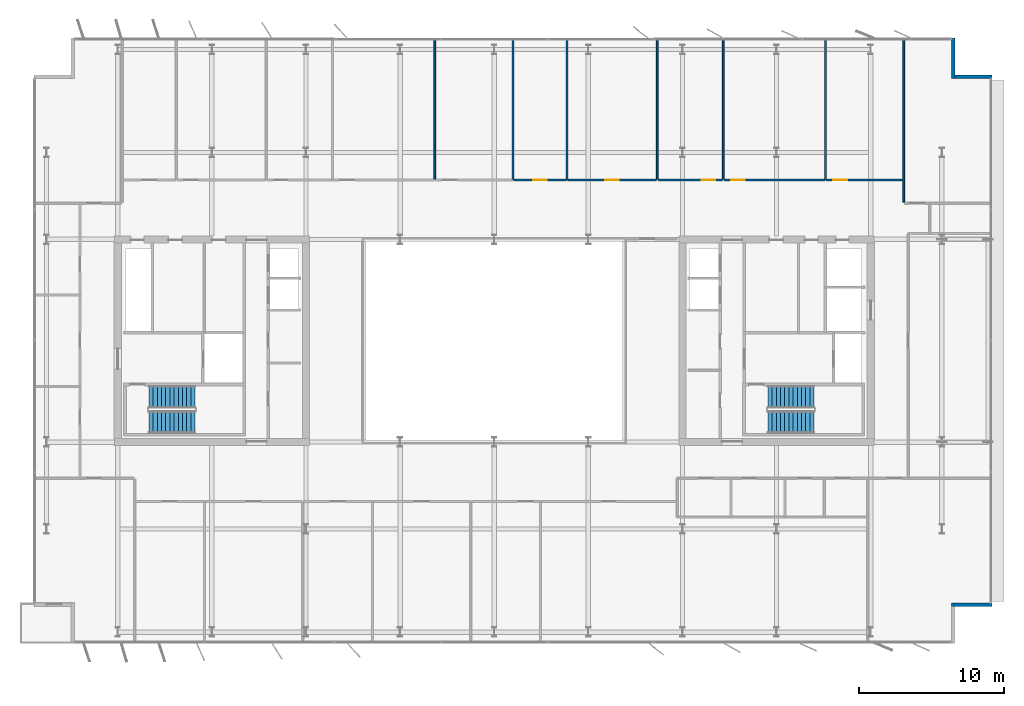
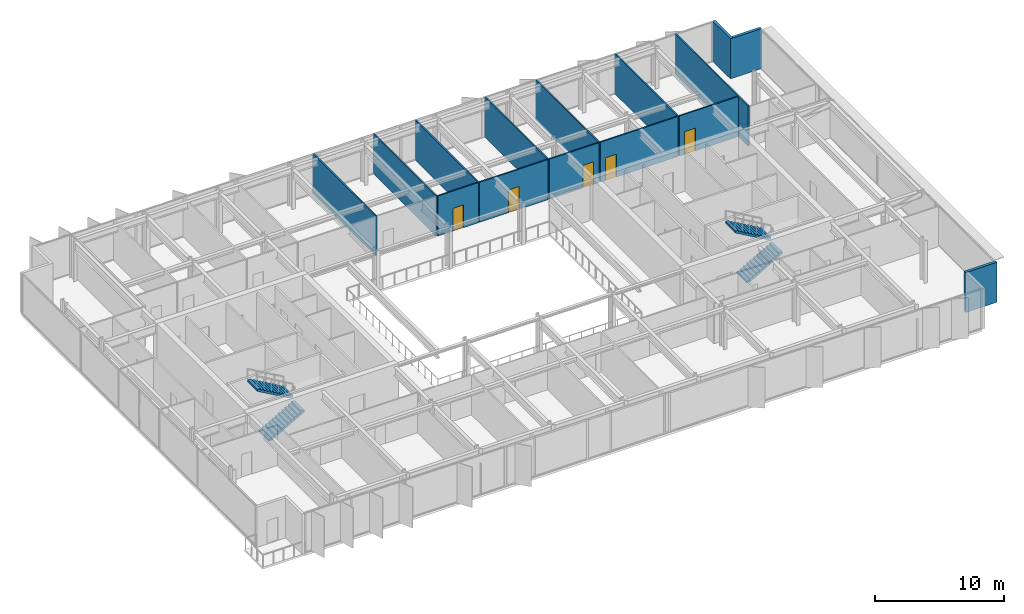
# One storey, part 16 of 20: 15 walls, 5 doors, 4 stair flights, 5 openings, 2 elements without a shape of their own.
"""IFC4 building model written with IfcOpenShell, lengths in metres."""

from ifc_helpers import new_model, si_unit, direction, frame, frame_2d, origin, place, context, subcontext, project, spatial, polyline, rectangle, outline, extrude, material, layer, layer_set, type_object, element, fill, aggregate, save


model = new_model("IFC4")

# Units and contexts
model_context = context("Model", 3, precision=1e-05, world=origin(), true_north=direction((0.0, 1.0)))
body_context = subcontext(model_context, "Body", "Model", "MODEL_VIEW")
ifc_project = project(units=[si_unit("LENGTHUNIT", "METRE"), si_unit("AREAUNIT", "SQUARE_METRE"), si_unit("VOLUMEUNIT", "CUBIC_METRE"), si_unit("PLANEANGLEUNIT", "RADIAN"), si_unit("MASSUNIT", "GRAM", prefix="KILO")], contexts=[model_context])

# Site, building, storey
site_placement = place(None, origin())
site = spatial("IfcSite", under=ifc_project, at=site_placement, CompositionType="ELEMENT")
building_placement = place(site_placement, origin())
building = spatial("IfcBuilding", under=site, at=building_placement, Name="Putna Gate Headquarters", CompositionType="ELEMENT")
storey_placement = place(building_placement, frame((0.0, 0.0, 290.39990234375)))
storey = spatial("IfcBuildingStorey", under=building, at=storey_placement, Name="L73", CompositionType="ELEMENT", Elevation=290.39990234375)

# Walls
ifc_material_1 = material(Name="Precast concrete C40/50", Category="concrete")
ifc_layer_1 = layer(ifc_material_1, 0.239990234375)
ifc_layer_set_1 = layer_set([ifc_layer_1], Name="Precast concrete C40/50")
wall_type_1 = type_object("IfcWallType", Name="WALL-EXT-TERR-240", PredefinedType="STANDARD", material=ifc_layer_set_1)
for number, where, z_axis, x_axis, name in (
    (1, (70.707275390625, 46.89990234375, 0.0), (0.0, 0.0, 1.0), (0.0, -1.0, 0.0), "L73 Corner Notch Return Wall NE-V"),
    (2, (70.58740234375, 44.219970703125, 0.0), (0.0, 0.0, 1.0), (1.0, 0.0, 0.0), "L73 Corner Notch Return Wall NE-H"),
    (3, (73.38720703125, 7.780029296875, 0.0), (0.0, 0.0, 1.0), (-1.0, 0.0, 0.0), "L73 Corner Notch Return Wall SE-H"),
):
    element("IfcWall", number, at=place(storey_placement, frame(where, z_axis=z_axis, x_axis=x_axis)), inside=storey, type_object=wall_type_1, Name=name, PredefinedType="STANDARD", context=body_context, shape_type="SweptSolid", body=[
        extrude(rectangle(XDim=2.7998046875, YDim=0.239990234375, at=frame_2d((1.39990234375, 0.0))), origin(), (0.0, 0.0, 1.0), 3.7880859375),
    ])
ifc_material_2 = material(Name="Acoustic gypsum board on metal stud")
ifc_layer_2 = layer(ifc_material_2, 0.1201171875)
ifc_layer_set_2 = layer_set([ifc_layer_2], Name="Acoustic gypsum board on metal stud")
wall_type_2 = type_object("IfcWallType", Name="WALL-PART-120", PredefinedType="PARTITIONING", material=ifc_layer_set_2)
for number, where, z_axis, x_axis, name in (
    (4, (34.895751953125, 37.159912109375, 0.0), (0.0, 0.0, 1.0), (0.0, 1.0, 0.0), "L73 Interior Wall PART-L73-NB-DIV-05"),
    (5, (40.293701171875, 37.159912109375, 0.0), (0.0, 0.0, 1.0), (0.0, 1.0, 0.0), "L73 Interior Wall PART-L73-NB-DIV-06"),
    (6, (44.026123046875, 37.159912109375, 0.0), (0.0, 0.0, 1.0), (0.0, 1.0, 0.0), "L73 Interior Wall PART-L73-NB-DIV-07"),
    (7, (50.25341796875, 37.159912109375, 0.0), (0.0, 0.0, 1.0), (0.0, 1.0, 0.0), "L73 Interior Wall PART-L73-NB-DIV-08"),
    (8, (54.82177734375, 37.159912109375, 0.0), (0.0, 0.0, 1.0), (0.0, 1.0, 0.0), "L73 Interior Wall PART-L73-NB-DIV-09"),
    (9, (61.885009765625, 37.159912109375, 0.0), (0.0, 0.0, 1.0), (0.0, 1.0, 0.0), "L73 Interior Wall PART-L73-NB-DIV-10"),
):
    element("IfcWall", number, at=place(storey_placement, frame(where, z_axis=z_axis, x_axis=x_axis)), inside=storey, type_object=wall_type_2, Name=name, PredefinedType="PARTITIONING", context=body_context, shape_type="SweptSolid", body=[
        extrude(rectangle(XDim=9.719970703125, YDim=0.1201171875, at=frame_2d((4.85986328125, 0.0))), origin(), (0.0, 0.0, 1.0), 3.7880859375),
    ])
wall_1_placement = place(storey_placement, frame((67.28271484375, 35.56005859375, 0.0), z_axis=(0.0, 0.0, 1.0), x_axis=(0.0, 1.0, 0.0)))
element("IfcWall", 10, at=wall_1_placement, inside=storey, type_object=wall_type_2, Name="L73 Interior Wall PART-L73-NB-DIV-11", PredefinedType="PARTITIONING", context=body_context, shape_type="SweptSolid", body=[
    extrude(rectangle(XDim=11.31982421875, YDim=0.1201171875, at=frame_2d((5.659912109375, 0.0))), origin(), (0.0, 0.0, 1.0), 3.7880859375),
])

# Wall, opening, door
ifc_material_3 = material(Name="Fire-rated gypsum board on metal stud")
ifc_layer_3 = layer(ifc_material_3, 0.1201171875)
ifc_layer_set_3 = layer_set([ifc_layer_3], Name="Fire-rated gypsum board on metal stud")
wall_type_3 = type_object("IfcWallType", Name="WALL-PART-120-RATED", PredefinedType="PARTITIONING", material=ifc_layer_set_3)
wall_2_placement = place(storey_placement, frame((40.353759765625, 37.10009765625, 0.0), z_axis=(0.0, 0.0, 1.0), x_axis=(1.0, 0.0, 0.0)))
wall_2 = element("IfcWall", 11, at=wall_2_placement, inside=storey, type_object=wall_type_3, Name="L73 Interior Wall PART-L73-NB-CW-07", PredefinedType="PARTITIONING", context=body_context, shape_type="SweptSolid", body=[
    extrude(rectangle(XDim=3.6123046875, YDim=0.1201171875, at=frame_2d((1.80615234375, 0.0))), origin(), (0.0, 0.0, 1.0), 3.7880859375),
])
opening_1_placement = place(wall_2_placement, frame((1.331298828125, 0.0, 0.0)))
opening_1 = element("IfcOpeningElement", 12, at=opening_1_placement, cuts=wall_2, Name="Opening FD-95", PredefinedType="OPENING", context=body_context, shape_type="SweptSolid", body=[
    extrude(rectangle(XDim=0.949951171875, YDim=2.14990234375, at=frame_2d((0.47509765625, 1.074951171875))), frame((0.0, 0.070068359375, 0.0), z_axis=(0.0, -1.0, 0.0), x_axis=(1.0, 0.0, 0.0)), (0.0, 0.0, 1.0), 0.14013671875),
])
ifc_material_4 = material(Name="Acoustic timber fire door", Category="wood")
door_type = type_object("IfcDoorType", Name="DOOR-FIRE-950", OperationType="NOTDEFINED", PredefinedType="DOOR", material=ifc_material_4)
door_1_placement = place(opening_1_placement, origin())
door_1 = element("IfcDoor", 13, at=door_1_placement, inside=storey, type_object=door_type, Name="L73 Cellular Office 3 Door", OperationType="SINGLE_SWING_RIGHT", OverallHeight=2.14990234375, OverallWidth=0.949951171875, PredefinedType="DOOR", context=body_context, shape_type="SweptSolid", body=[
    extrude(rectangle(XDim=0.949951171875, YDim=2.14990234375, at=frame_2d((0.47509765625, 1.074951171875))), frame((0.0, 0.02490234375, 0.0), z_axis=(0.0, -1.0, 0.0), x_axis=(1.0, 0.0, 0.0)), (0.0, 0.0, 1.0), 0.050048828125),
])
fill(opening_1, door_1)

wall_3_placement = place(storey_placement, frame((44.086181640625, 37.10009765625, 0.0), z_axis=(0.0, 0.0, 1.0), x_axis=(1.0, 0.0, 0.0)))
wall_3 = element("IfcWall", 14, at=wall_3_placement, inside=storey, type_object=wall_type_3, Name="L73 Interior Wall PART-L73-NB-CW-08", PredefinedType="PARTITIONING", context=body_context, shape_type="SweptSolid", body=[
    extrude(rectangle(XDim=6.107177734375, YDim=0.1201171875, at=frame_2d((3.0537109375, 0.0))), origin(), (0.0, 0.0, 1.0), 3.7880859375),
])
opening_2_placement = place(wall_3_placement, frame((2.57861328125, 0.0, 0.0)))
opening_2 = element("IfcOpeningElement", 15, at=opening_2_placement, cuts=wall_3, Name="Opening FD-95", PredefinedType="OPENING", context=body_context, shape_type="SweptSolid", body=[
    extrude(rectangle(XDim=0.949951171875, YDim=2.14990234375, at=frame_2d((0.47509765625, 1.074951171875))), frame((0.0, 0.070068359375, 0.0), z_axis=(0.0, -1.0, 0.0), x_axis=(1.0, 0.0, 0.0)), (0.0, 0.0, 1.0), 0.14013671875),
])
door_2_placement = place(opening_2_placement, origin())
door_2 = element("IfcDoor", 16, at=door_2_placement, inside=storey, type_object=door_type, Name="L73 Cellular Office 4 Door", OperationType="SINGLE_SWING_LEFT", OverallHeight=2.14990234375, OverallWidth=0.949951171875, PredefinedType="DOOR", context=body_context, shape_type="SweptSolid", body=[
    extrude(rectangle(XDim=0.949951171875, YDim=2.14990234375, at=frame_2d((0.47509765625, 1.074951171875))), frame((0.0, 0.02490234375, 0.0), z_axis=(0.0, -1.0, 0.0), x_axis=(1.0, 0.0, 0.0)), (0.0, 0.0, 1.0), 0.050048828125),
])
fill(opening_2, door_2)

wall_4_placement = place(storey_placement, frame((50.313232421875, 37.10009765625, 0.0), z_axis=(0.0, 0.0, 1.0), x_axis=(1.0, 0.0, 0.0)))
wall_4 = element("IfcWall", 17, at=wall_4_placement, inside=storey, type_object=wall_type_3, Name="L73 Interior Wall PART-L73-NB-CW-09", PredefinedType="PARTITIONING", context=body_context, shape_type="SweptSolid", body=[
    extrude(rectangle(XDim=4.448486328125, YDim=0.1201171875, at=frame_2d((2.22412109375, 0.0))), origin(), (0.0, 0.0, 1.0), 3.7880859375),
])
opening_3_placement = place(wall_4_placement, frame((3.018310546875, 0.0, 0.0)))
opening_3 = element("IfcOpeningElement", 18, at=opening_3_placement, cuts=wall_4, Name="Opening FD-95", PredefinedType="OPENING", context=body_context, shape_type="SweptSolid", body=[
    extrude(rectangle(XDim=0.949951171875, YDim=2.14990234375, at=frame_2d((0.47509765625, 1.074951171875))), frame((0.0, 0.070068359375, 0.0), z_axis=(0.0, -1.0, 0.0), x_axis=(1.0, 0.0, 0.0)), (0.0, 0.0, 1.0), 0.14013671875),
])
door_3_placement = place(opening_3_placement, origin())
door_3 = element("IfcDoor", 19, at=door_3_placement, inside=storey, type_object=door_type, Name="L73 Cellular Office 5 Door", OperationType="SINGLE_SWING_RIGHT", OverallHeight=2.14990234375, OverallWidth=0.949951171875, PredefinedType="DOOR", context=body_context, shape_type="SweptSolid", body=[
    extrude(rectangle(XDim=0.949951171875, YDim=2.14990234375, at=frame_2d((0.47509765625, 1.074951171875))), frame((0.0, 0.02490234375, 0.0), z_axis=(0.0, -1.0, 0.0), x_axis=(1.0, 0.0, 0.0)), (0.0, 0.0, 1.0), 0.050048828125),
])
fill(opening_3, door_3)

wall_5_placement = place(storey_placement, frame((54.881591796875, 37.10009765625, 0.0), z_axis=(0.0, 0.0, 1.0), x_axis=(1.0, 0.0, 0.0)))
wall_5 = element("IfcWall", 20, at=wall_5_placement, inside=storey, type_object=wall_type_3, Name="L73 Interior Wall PART-L73-NB-CW-10", PredefinedType="PARTITIONING", context=body_context, shape_type="SweptSolid", body=[
    extrude(rectangle(XDim=6.943359375, YDim=0.1201171875, at=frame_2d((3.4716796875, 0.0))), origin(), (0.0, 0.0, 1.0), 3.7880859375),
])
opening_4_placement = place(wall_5_placement, frame((0.47998046875, 0.0, 0.0)))
opening_4 = element("IfcOpeningElement", 21, at=opening_4_placement, cuts=wall_5, Name="Opening FD-95", PredefinedType="OPENING", context=body_context, shape_type="SweptSolid", body=[
    extrude(rectangle(XDim=0.949951171875, YDim=2.14990234375, at=frame_2d((0.47509765625, 1.074951171875))), frame((0.0, 0.070068359375, 0.0), z_axis=(0.0, -1.0, 0.0), x_axis=(1.0, 0.0, 0.0)), (0.0, 0.0, 1.0), 0.14013671875),
])
door_4_placement = place(opening_4_placement, origin())
door_4 = element("IfcDoor", 22, at=door_4_placement, inside=storey, type_object=door_type, Name="L73 Cellular Office 6 Door", OperationType="SINGLE_SWING_LEFT", OverallHeight=2.14990234375, OverallWidth=0.949951171875, PredefinedType="DOOR", context=body_context, shape_type="SweptSolid", body=[
    extrude(rectangle(XDim=0.949951171875, YDim=2.14990234375, at=frame_2d((0.47509765625, 1.074951171875))), frame((0.0, 0.02490234375, 0.0), z_axis=(0.0, -1.0, 0.0), x_axis=(1.0, 0.0, 0.0)), (0.0, 0.0, 1.0), 0.050048828125),
])
fill(opening_4, door_4)

wall_6_placement = place(storey_placement, frame((61.945068359375, 37.10009765625, 0.0), z_axis=(0.0, 0.0, 1.0), x_axis=(1.0, 0.0, 0.0)))
wall_6 = element("IfcWall", 23, at=wall_6_placement, inside=storey, type_object=wall_type_3, Name="L73 Interior Wall PART-L73-NB-CW-11", PredefinedType="PARTITIONING", context=body_context, shape_type="SweptSolid", body=[
    extrude(rectangle(XDim=5.27783203125, YDim=0.1201171875, at=frame_2d((2.638916015625, 0.0))), origin(), (0.0, 0.0, 1.0), 3.7880859375),
])
opening_5_placement = place(wall_6_placement, frame((0.47998046875, 0.0, 0.0)))
opening_5 = element("IfcOpeningElement", 24, at=opening_5_placement, cuts=wall_6, Name="Opening FD-95", PredefinedType="OPENING", context=body_context, shape_type="SweptSolid", body=[
    extrude(rectangle(XDim=0.949951171875, YDim=2.14990234375, at=frame_2d((0.47509765625, 1.074951171875))), frame((0.0, 0.070068359375, 0.0), z_axis=(0.0, -1.0, 0.0), x_axis=(1.0, 0.0, 0.0)), (0.0, 0.0, 1.0), 0.14013671875),
])
door_5_placement = place(opening_5_placement, origin())
door_5 = element("IfcDoor", 25, at=door_5_placement, inside=storey, type_object=door_type, Name="L73 Cellular Office 7 Door", OperationType="SINGLE_SWING_RIGHT", OverallHeight=2.14990234375, OverallWidth=0.949951171875, PredefinedType="DOOR", context=body_context, shape_type="SweptSolid", body=[
    extrude(rectangle(XDim=0.949951171875, YDim=2.14990234375, at=frame_2d((0.47509765625, 1.074951171875))), frame((0.0, 0.02490234375, 0.0), z_axis=(0.0, -1.0, 0.0), x_axis=(1.0, 0.0, 0.0)), (0.0, 0.0, 1.0), 0.050048828125),
])
fill(opening_5, door_5)

# Stair, stair flights
ifc_material_5 = material(Name="Concrete C40/50", Category="concrete")
stair_type_1 = type_object("IfcStairType", Name="STAIR-ST1", PredefinedType="HALF_TURN_STAIR", material=ifc_material_5)
stair_1_placement = place(storey_placement, origin())
stair_1 = element("IfcStair", 26, at=stair_1_placement, inside=storey, type_object=stair_type_1, Name="L73 West Core Exit Stair ST1", PredefinedType="HALF_TURN_STAIR")
stair_flight_type_1 = type_object("IfcStairFlightType", Name="FLIGHT-ST1", PredefinedType="STRAIGHT", material=ifc_material_5)
stair_flight_1_placement = place(storey_placement, frame((15.14990234375, 20.375, 0.0), z_axis=(0.0, 0.0, 1.0), x_axis=(1.0, 0.0, 0.0)))
stair_flight_1 = element("IfcStairFlight", 27, at=stair_flight_1_placement, type_object=stair_flight_type_1, Name="ST1 flight 1", NumberOfRisers=12, NumberOfTreads=11, PredefinedType="STRAIGHT", RiserHeight=0.166666667, TreadLength=0.29, context=body_context, shape_type="SweptSolid", body=[
    extrude(outline(polyline([(0.0, 0.0), (0.0, 0.166748046875), (0.2900390625, 0.166748046875), (0.2900390625, 0.333251953125), (0.580078125, 0.333251953125), (0.580078125, 0.5), (0.8701171875, 0.5), (0.8701171875, 0.666748046875), (1.159912109375, 0.666748046875), (1.159912109375, 0.833251953125), (1.449951171875, 0.833251953125), (1.449951171875, 1.0), (1.739990234375, 1.0), (1.739990234375, 1.166748046875), (2.030029296875, 1.166748046875), (2.030029296875, 1.333251953125), (2.320068359375, 1.333251953125), (2.320068359375, 1.5), (2.610107421875, 1.5), (2.610107421875, 1.666748046875), (2.89990234375, 1.666748046875), (2.89990234375, 1.833251953125), (3.18994140625, 1.833251953125), (3.18994140625, 2.0), (3.18994140625, 1.660400390625), (0.30078125, 0.0), (0.0, 0.0)])), frame((0.0, 0.77490234375, 0.0), z_axis=(0.0, -1.0, 0.0), x_axis=(1.0, 0.0, 0.0)), (0.0, 0.0, 1.0), 1.550048828125),
])
stair_flight_2_placement = place(storey_placement, frame((18.340087890625, 22.125, 2.0), z_axis=(0.0, 0.0, 1.0), x_axis=(-1.0, 0.0, 0.0)))
stair_flight_2 = element("IfcStairFlight", 28, at=stair_flight_2_placement, type_object=stair_flight_type_1, Name="ST1 flight 2", NumberOfRisers=12, NumberOfTreads=11, PredefinedType="STRAIGHT", RiserHeight=0.166666667, TreadLength=0.29, context=body_context, shape_type="SweptSolid", body=[
    extrude(outline(polyline([(0.0, 0.0), (0.0, 0.166748046875), (0.2900390625, 0.166748046875), (0.2900390625, 0.333251953125), (0.580078125, 0.333251953125), (0.580078125, 0.5), (0.8701171875, 0.5), (0.8701171875, 0.666748046875), (1.159912109375, 0.666748046875), (1.159912109375, 0.833251953125), (1.449951171875, 0.833251953125), (1.449951171875, 1.0), (1.739990234375, 1.0), (1.739990234375, 1.166748046875), (2.030029296875, 1.166748046875), (2.030029296875, 1.333251953125), (2.320068359375, 1.333251953125), (2.320068359375, 1.5), (2.610107421875, 1.5), (2.610107421875, 1.666748046875), (2.89990234375, 1.666748046875), (2.89990234375, 1.833251953125), (3.18994140625, 1.833251953125), (3.18994140625, 2.0), (3.18994140625, 1.660400390625), (0.30078125, 0.0), (0.0, 0.0)])), frame((0.0, 0.77490234375, 0.0), z_axis=(0.0, -1.0, 0.0), x_axis=(1.0, 0.0, 0.0)), (0.0, 0.0, 1.0), 1.550048828125),
])
aggregate(stair_1, [stair_flight_1, stair_flight_2])

stair_type_2 = type_object("IfcStairType", Name="STAIR-ST2", PredefinedType="HALF_TURN_STAIR", material=ifc_material_5)
stair_2_placement = place(storey_placement, origin())
stair_2 = element("IfcStair", 29, at=stair_2_placement, inside=storey, type_object=stair_type_2, Name="L73 East Core Exit Stair ST2", PredefinedType="HALF_TURN_STAIR")
stair_flight_type_2 = type_object("IfcStairFlightType", Name="FLIGHT-ST2", PredefinedType="STRAIGHT", material=ifc_material_5)
stair_flight_3_placement = place(storey_placement, frame((57.89990234375, 20.375, 0.0), z_axis=(0.0, 0.0, 1.0), x_axis=(1.0, 0.0, 0.0)))
stair_flight_3 = element("IfcStairFlight", 30, at=stair_flight_3_placement, type_object=stair_flight_type_2, Name="ST2 flight 1", NumberOfRisers=12, NumberOfTreads=11, PredefinedType="STRAIGHT", RiserHeight=0.166666667, TreadLength=0.29, context=body_context, shape_type="SweptSolid", body=[
    extrude(outline(polyline([(0.0, 0.0), (0.0, 0.166748046875), (0.2900390625, 0.166748046875), (0.2900390625, 0.333251953125), (0.580078125, 0.333251953125), (0.580078125, 0.5), (0.8701171875, 0.5), (0.8701171875, 0.666748046875), (1.159912109375, 0.666748046875), (1.159912109375, 0.833251953125), (1.449951171875, 0.833251953125), (1.449951171875, 1.0), (1.739990234375, 1.0), (1.739990234375, 1.166748046875), (2.030029296875, 1.166748046875), (2.030029296875, 1.333251953125), (2.320068359375, 1.333251953125), (2.320068359375, 1.5), (2.610107421875, 1.5), (2.610107421875, 1.666748046875), (2.89990234375, 1.666748046875), (2.89990234375, 1.833251953125), (3.18994140625, 1.833251953125), (3.18994140625, 2.0), (3.18994140625, 1.660400390625), (0.30078125, 0.0), (0.0, 0.0)])), frame((0.0, 0.77490234375, 0.0), z_axis=(0.0, -1.0, 0.0), x_axis=(1.0, 0.0, 0.0)), (0.0, 0.0, 1.0), 1.550048828125),
])
stair_flight_4_placement = place(storey_placement, frame((61.090087890625, 22.125, 2.0), z_axis=(0.0, 0.0, 1.0), x_axis=(-1.0, 0.0, 0.0)))
stair_flight_4 = element("IfcStairFlight", 31, at=stair_flight_4_placement, type_object=stair_flight_type_2, Name="ST2 flight 2", NumberOfRisers=12, NumberOfTreads=11, PredefinedType="STRAIGHT", RiserHeight=0.166666667, TreadLength=0.29, context=body_context, shape_type="SweptSolid", body=[
    extrude(outline(polyline([(0.0, 0.0), (0.0, 0.166748046875), (0.2900390625, 0.166748046875), (0.2900390625, 0.333251953125), (0.580078125, 0.333251953125), (0.580078125, 0.5), (0.8701171875, 0.5), (0.8701171875, 0.666748046875), (1.159912109375, 0.666748046875), (1.159912109375, 0.833251953125), (1.449951171875, 0.833251953125), (1.449951171875, 1.0), (1.739990234375, 1.0), (1.739990234375, 1.166748046875), (2.030029296875, 1.166748046875), (2.030029296875, 1.333251953125), (2.320068359375, 1.333251953125), (2.320068359375, 1.5), (2.610107421875, 1.5), (2.610107421875, 1.666748046875), (2.89990234375, 1.666748046875), (2.89990234375, 1.833251953125), (3.18994140625, 1.833251953125), (3.18994140625, 2.0), (3.18994140625, 1.660400390625), (0.30078125, 0.0), (0.0, 0.0)])), frame((0.0, 0.77490234375, 0.0), z_axis=(0.0, -1.0, 0.0), x_axis=(1.0, 0.0, 0.0)), (0.0, 0.0, 1.0), 1.550048828125),
])
aggregate(stair_2, [stair_flight_3, stair_flight_4])

save(model, "model.ifc")
